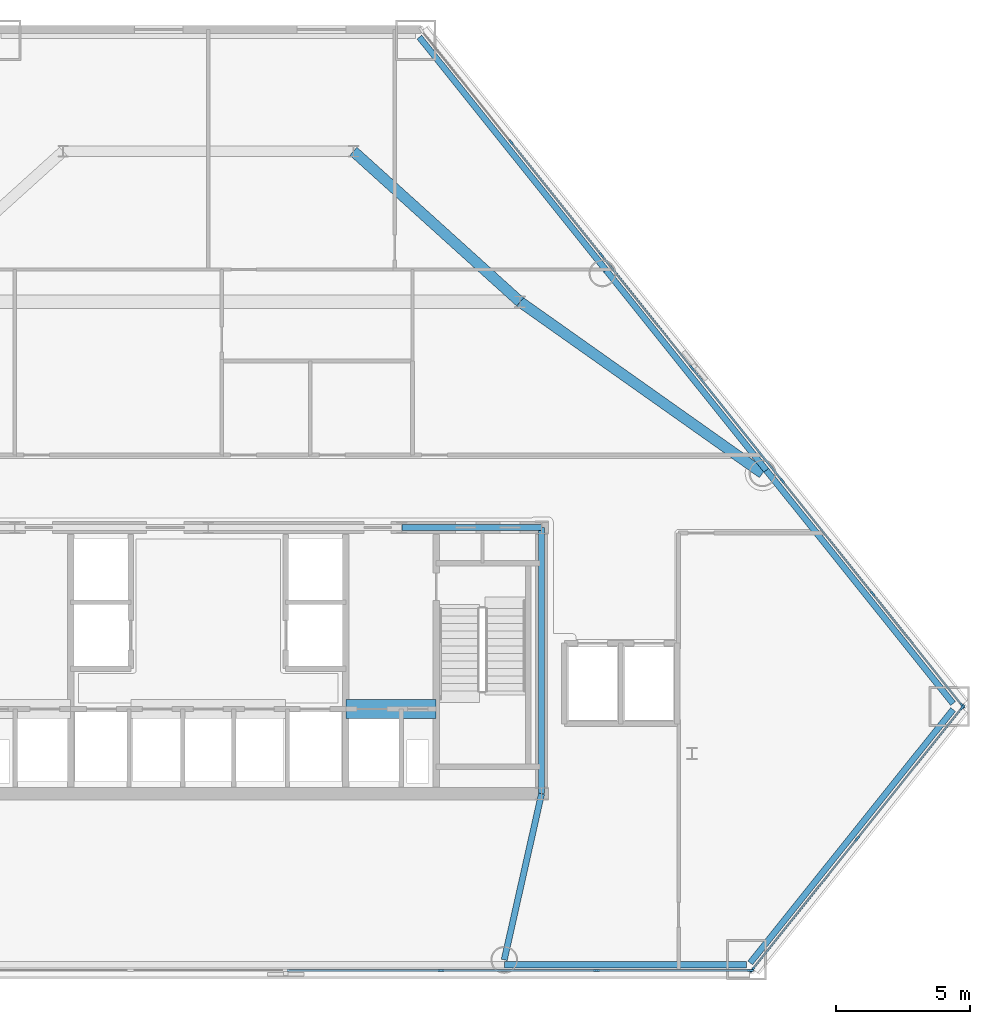
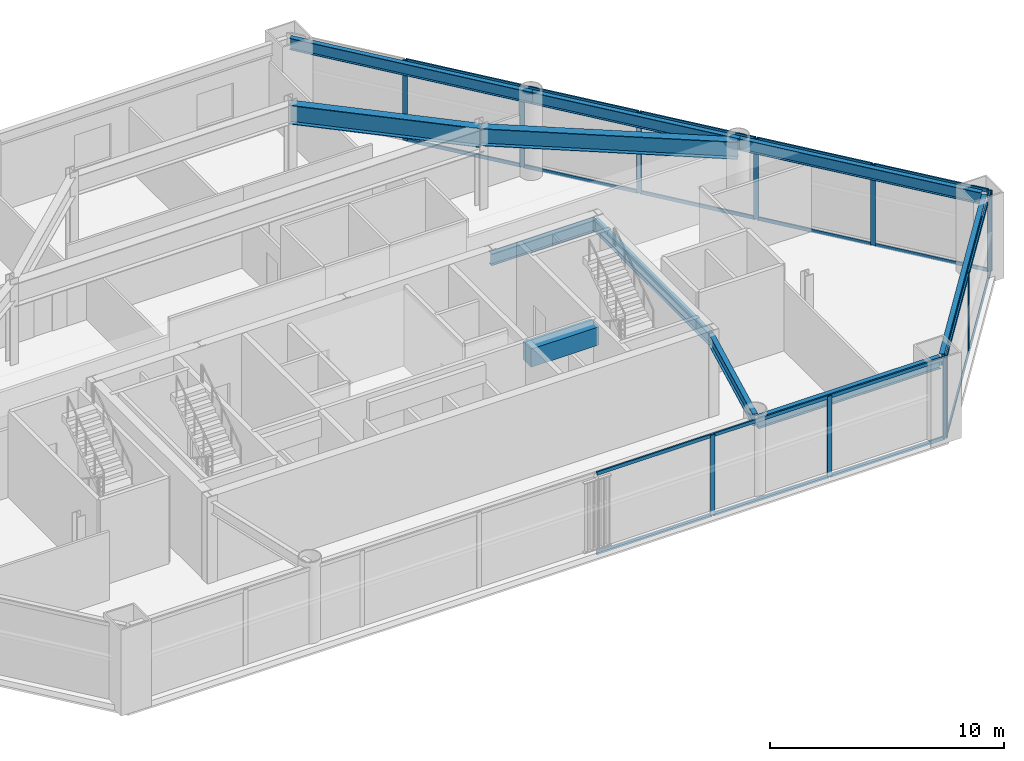
# One storey, part 5 of 13: 32 members, 11 beams, 3 elements without a shape of their own.
"""IFC4 building model written with IfcOpenShell, lengths in metres."""

import ifcopenshell
import ifcopenshell.guid

model = None  # the IFC model being written
_history = None  # IfcOwnerHistory: only IFC2X3 demands one
_inside = {}  # id of a spatial element -> (the spatial element, [elements in it])
_under = {}  # id of a project, library or spatial element -> (it, [spatial elements below it])
_declared = {}  # id of a project -> (the project, [libraries it declares])
_typed = {}  # id of a type object -> (the type object, [elements of that type])
_made_of = {}  # id of a material, layer set ... -> (it, [elements and type objects made of it])


def new_model(schema):
    """Start an empty IFC model of exactly this schema.

    Asked for "IFC4X3", IfcOpenShell would pick the latest addendum, in which some entities
    have other attributes; the version numbers below select the first issue.
    IFC2X3 requires an IfcOwnerHistory on every rooted entity: one is made here for all.
    """
    global model, _history
    if schema == "IFC4X3":
        model = ifcopenshell.file(schema_version=(4, 3, 0, 0))
    else:
        model = ifcopenshell.file(schema=schema)
    _inside.clear()
    _under.clear()
    _declared.clear()
    _typed.clear()
    _made_of.clear()
    _history = None
    if model.schema == "IFC2X3":
        org = make("IfcOrganization", Name="unknown")
        user = make(
            "IfcPersonAndOrganization",
            ThePerson=make("IfcPerson", FamilyName="unknown"),
            TheOrganization=org,
        )
        app = make(
            "IfcApplication",
            ApplicationDeveloper=org,
            Version="unknown",
            ApplicationFullName="unknown",
            ApplicationIdentifier="unknown",
        )
        _history = make(
            "IfcOwnerHistory",
            OwningUser=user,
            OwningApplication=app,
            ChangeAction="ADDED",
            CreationDate=0,
        )
    return model


def make(cls, **values):
    """One entity of the class cls with the attributes given. An attribute that is None is left unset."""
    return model.create_entity(
        cls, **{name: value for name, value in values.items() if value is not None}
    )


def rooted(cls, **values):
    """An entity with a GlobalId (a new one), such as an element, a storey or a relation."""
    return make(cls, GlobalId=ifcopenshell.guid.new(), OwnerHistory=_history, **values)


def si_unit(unit_type, name, prefix=None):
    """IfcSIUnit, for example si_unit("LENGTHUNIT", "METRE", prefix="MILLI")."""
    return make("IfcSIUnit", UnitType=unit_type, Prefix=prefix, Name=name)


def assignment(units):
    """IfcUnitAssignment: the units of a project."""
    return None if units is None else make("IfcUnitAssignment", Units=units)


def point(xyz):
    """IfcCartesianPoint."""
    return None if xyz is None else make("IfcCartesianPoint", Coordinates=xyz)


def direction(xyz):
    """IfcDirection."""
    return None if xyz is None else make("IfcDirection", DirectionRatios=xyz)


def frame(location, z_axis=None, x_axis=None):
    """IfcAxis2Placement3D, a coordinate frame: its origin and axes. An axis left out is left unset."""
    return make(
        "IfcAxis2Placement3D",
        Location=point(location),
        Axis=direction(z_axis),
        RefDirection=direction(x_axis),
    )


def frame_2d(location, x_axis=None):
    """IfcAxis2Placement2D, a coordinate frame in the plane: its origin and x axis."""
    return make(
        "IfcAxis2Placement2D", Location=point(location), RefDirection=direction(x_axis)
    )


def origin():
    """The frame at (0, 0, 0) with its axes left unset."""
    return frame((0.0, 0.0, 0.0))


def origin_2d():
    """The frame at (0, 0) in the plane with its x axis left unset."""
    return frame_2d((0.0, 0.0))


def place(relative_to, where):
    """IfcLocalPlacement: puts the frame where relative to a parent placement (None: the world)."""
    return make(
        "IfcLocalPlacement", PlacementRelTo=relative_to, RelativePlacement=where
    )


def context(
    kind, dimensions, precision=None, world=None, true_north=None, identifier=None
):
    """IfcGeometricRepresentationContext, for example the 3D "Model" context."""
    return make(
        "IfcGeometricRepresentationContext",
        ContextIdentifier=identifier,
        ContextType=kind,
        CoordinateSpaceDimension=dimensions,
        Precision=precision,
        WorldCoordinateSystem=world,
        TrueNorth=true_north,
    )


def subcontext(parent, identifier, kind, view, scale=None):
    """IfcGeometricRepresentationSubContext, for example "Body" below "Model"."""
    return make(
        "IfcGeometricRepresentationSubContext",
        ContextIdentifier=identifier,
        ContextType=kind,
        ParentContext=parent,
        TargetScale=scale,
        TargetView=view,
    )


def project(units=None, contexts=None):
    """IfcProject with its units and contexts."""
    return rooted(
        "IfcProject",
        Name="project",
        RepresentationContexts=contexts,
        UnitsInContext=assignment(units),
    )


def spatial(cls, under=None, at=None, **own):
    """A site, building, storey or space (cls), placed at a placement, below another one or the project."""
    s = rooted(cls, ObjectPlacement=at, **own)
    if under is not None:
        _under.setdefault(under.id(), (under, []))[1].append(s)
    return s


def profile(cls, at=None, kind="AREA", **sizes):
    """A parametric profile (cls). Its sizes go by their IFC names, for example OverallWidth=200.0."""
    return make(cls, ProfileType=kind, Position=at, **sizes)


def rectangle(**sizes):
    """IfcRectangleProfileDef."""
    return profile("IfcRectangleProfileDef", **sizes)


def i_section(**sizes):
    """IfcIShapeProfileDef."""
    return profile("IfcIShapeProfileDef", **sizes)


def extrude(swept, where, along, depth):
    """IfcExtrudedAreaSolid: the profile swept, set in the frame where, extruded along a direction by depth."""
    return make(
        "IfcExtrudedAreaSolid",
        SweptArea=swept,
        Position=where,
        ExtrudedDirection=direction(along),
        Depth=depth,
    )


def shape(context_of_items, identifier, shape_type, items):
    """IfcShapeRepresentation: the items that make up one representation, for example the "Body"."""
    return make(
        "IfcShapeRepresentation",
        ContextOfItems=context_of_items,
        RepresentationIdentifier=identifier,
        RepresentationType=shape_type,
        Items=items,
    )


def material(Name=None, Category=None):
    """IfcMaterial."""
    return make("IfcMaterial", Name=Name, Category=Category)


def layer(
    of_material, thickness, ventilated=None, Name=None, Category=None, Priority=None
):
    """IfcMaterialLayer: one layer of a wall or slab, of a material (None: an air gap)."""
    return make(
        "IfcMaterialLayer",
        Material=of_material,
        LayerThickness=thickness,
        IsVentilated=ventilated,
        Name=Name,
        Category=Category,
        Priority=Priority,
    )


def layer_set(layers, Name=None):
    """IfcMaterialLayerSet."""
    return make("IfcMaterialLayerSet", MaterialLayers=layers, LayerSetName=Name)


def material_profile(
    of_material, cross_section, Name=None, Category=None, Priority=None
):
    """IfcMaterialProfile: a cross section and its material."""
    return make(
        "IfcMaterialProfile",
        Name=Name,
        Material=of_material,
        Profile=cross_section,
        Priority=Priority,
        Category=Category,
    )


def profile_set(profiles, Name=None, composite=None):
    """IfcMaterialProfileSet."""
    return make(
        "IfcMaterialProfileSet",
        Name=Name,
        MaterialProfiles=profiles,
        CompositeProfile=composite,
    )


def made_of(thing, what):
    """Note that an element or type object is made of a material, layer set ...; save() writes the relation."""
    if what is not None:
        _made_of.setdefault(what.id(), (what, []))[1].append(thing)
    return thing


def type_object(cls, material=None, **own):
    """A type object (cls), such as IfcWallType, which elements share."""
    return made_of(rooted(cls, **own), material)


def element(
    cls,
    number,
    at=None,
    inside=None,
    cuts=None,
    type_object=None,
    material=None,
    context=None,
    identifier="Body",
    shape_type=None,
    held_by="IfcProductDefinitionShape",
    body=None,
    shapes=None,
    **own,
):
    """One element of the class cls, such as IfcWall. Its Tag is "e" and its number.

    at: its placement. inside: the storey or other place that contains it. cuts: it is an
    opening in that element (IfcRelVoidsElement). A single representation is given by context,
    identifier, shape_type and body (its items); several are given by shapes. held_by: the class
    of the entity that holds the representations. save() writes the other relations.
    """
    e = rooted(cls, Tag="e%d" % number, ObjectPlacement=at, **own)
    if body is not None:
        shapes = [shape(context, identifier, shape_type, body)]
    if shapes is not None:
        e.Representation = make(held_by, Representations=shapes)
    if inside is not None:
        _inside.setdefault(inside.id(), (inside, []))[1].append(e)
    if cuts is not None:
        rooted(
            "IfcRelVoidsElement", RelatingBuildingElement=cuts, RelatedOpeningElement=e
        )
    if type_object is not None:
        _typed.setdefault(type_object.id(), (type_object, []))[1].append(e)
    return made_of(e, material)


def aggregate(whole, parts):
    """IfcRelAggregates: a whole, such as a stair, and the parts it consists of."""
    return rooted("IfcRelAggregates", RelatingObject=whole, RelatedObjects=parts)


def save(model, path):
    """Write the relations noted so far, then the file.

    IfcRelAggregates (storeys below a building ...), IfcRelContainedInSpatialStructure (elements
    in a storey), IfcRelDefinesByType, IfcRelAssociatesMaterial and IfcRelDeclares: one each for
    every whole, place, type object, material and project.
    """
    for whole, parts in _under.values():
        aggregate(whole, parts)
    for where, things in _inside.values():
        rooted(
            "IfcRelContainedInSpatialStructure",
            RelatedElements=things,
            RelatingStructure=where,
        )
    for kind, things in _typed.values():
        rooted("IfcRelDefinesByType", RelatedObjects=things, RelatingType=kind)
    for what, things in _made_of.values():
        rooted("IfcRelAssociatesMaterial", RelatedObjects=things, RelatingMaterial=what)
    for by, libraries in _declared.values():
        rooted("IfcRelDeclares", RelatingContext=by, RelatedDefinitions=libraries)
    model.write(path)


model = new_model("IFC4")

# Units and contexts
model_context = context("Model", 3, precision=1e-05, world=origin(), true_north=direction((0.0, 1.0)))
body_context = subcontext(model_context, "Body", "Model", "MODEL_VIEW")
ifc_project = project(units=[si_unit("LENGTHUNIT", "METRE"), si_unit("AREAUNIT", "SQUARE_METRE"), si_unit("VOLUMEUNIT", "CUBIC_METRE"), si_unit("PLANEANGLEUNIT", "RADIAN"), si_unit("MASSUNIT", "GRAM", prefix="KILO")], contexts=[model_context])

# Site, building, storey
site_placement = place(None, origin())
site = spatial("IfcSite", under=ifc_project, at=site_placement, CompositionType="ELEMENT")
building_placement = place(site_placement, origin())
building = spatial("IfcBuilding", under=site, at=building_placement, Name="Talgorran Terracotta Tower", CompositionType="ELEMENT")
storey_placement = place(building_placement, frame((0.0, 0.0, 9.89990234375)))
storey = spatial("IfcBuildingStorey", under=building, at=storey_placement, Name="L02", CompositionType="ELEMENT", Elevation=9.89990234375)

# Beams
ifc_material_1 = material(Name="Steel Grade 350 (350L0)", Category="steel")
ifc_material_profile_1 = material_profile(ifc_material_1, i_section(OverallWidth=0.39990234375, OverallDepth=1.0, WebThickness=0.01611328125, FlangeThickness=0.031005859375, at=origin_2d()), Name="1000WB296")
ifc_profile_set_1 = profile_set([ifc_material_profile_1], Name="Steel Grade 350 (350L0)")
beam_type_1 = type_object("IfcBeamType", Name="BM_1000WB296", PredefinedType="BEAM", material=ifc_profile_set_1)
beam_1_placement = place(storey_placement, frame((11.60009765625, 4.199951171875, 3.72021484375), z_axis=(-0.742107331558, 0.670281066754, 0.0), x_axis=(-0.670281066754, -0.742107331558, 0.0)))
element("IfcBeam", 1, at=beam_1_placement, inside=storey, type_object=beam_type_1, Name="L02 Podium Girder PG3", PredefinedType="BEAM", context=body_context, shape_type="SweptSolid", body=[
    extrude(i_section(OverallWidth=0.39990234375, OverallDepth=1.0, WebThickness=0.01611328125, FlangeThickness=0.031005859375, at=origin_2d()), origin(), (0.0, 0.0, 1.0), 8.354736328125),
])
ifc_material_profile_2 = material_profile(ifc_material_1, i_section(OverallWidth=0.39990234375, OverallDepth=0.907958984375, WebThickness=0.01611328125, FlangeThickness=0.02490234375, at=origin_2d()), Name="900WB257")
ifc_profile_set_2 = profile_set([ifc_material_profile_2], Name="Steel Grade 350 (350L0)")
beam_type_2 = type_object("IfcBeamType", Name="BM_900WB257", PredefinedType="BEAM", material=ifc_profile_set_2)
beam_2_placement = place(storey_placement, frame((20.620361328125, -2.1787109375, 3.76611328125), z_axis=(-0.816480686171, 0.577372747113, 0.0), x_axis=(-0.577372747113, -0.816480686171, 0.0)))
element("IfcBeam", 2, at=beam_2_placement, inside=storey, type_object=beam_type_2, Name="L02 Podium Girder PG8", PredefinedType="BEAM", context=body_context, shape_type="SweptSolid", body=[
    extrude(i_section(OverallWidth=0.39990234375, OverallDepth=0.907958984375, WebThickness=0.01611328125, FlangeThickness=0.02490234375, at=origin_2d()), origin(), (0.0, 0.0, 1.0), 11.0478515625),
])
ifc_material_2 = material(Name="Concrete C65/80", Category="concrete")
ifc_material_profile_3 = material_profile(ifc_material_2, rectangle(XDim=0.699951171875, YDim=0.949951171875, at=origin_2d()), Name="RCCB700X950")
ifc_profile_set_3 = profile_set([ifc_material_profile_3], Name="Concrete C65/80")
beam_type_3 = type_object("IfcBeamType", Name="BM_CB_700X950", PredefinedType="LINTEL", material=ifc_profile_set_3)
beam_3_placement = place(storey_placement, frame((5.1201171875, -10.949951171875, 3.7451171875), z_axis=(1.0, 0.0, 0.0), x_axis=(0.0, 1.0, 0.0)))
element("IfcBeam", 3, at=beam_3_placement, inside=storey, type_object=beam_type_3, Name="L02 Core Shear-Wall Coupling Beam CB3", PredefinedType="LINTEL", context=body_context, shape_type="SweptSolid", body=[
    extrude(rectangle(XDim=0.699951171875, YDim=0.949951171875, at=origin_2d()), origin(), (0.0, 0.0, 1.0), 3.35986328125),
])
ifc_material_3 = material(Name="Steel S355 (300PLUS)", Category="steel")
ifc_material_profile_4 = material_profile(ifc_material_3, i_section(OverallWidth=0.22900390625, OverallDepth=0.611572265625, WebThickness=0.011962890625, FlangeThickness=0.01953125, at=origin_2d()), Name="610UB125")
ifc_profile_set_4 = profile_set([ifc_material_profile_4], Name="Steel S355 (300PLUS)")
beam_type_4 = type_object("IfcBeamType", Name="BM_SP_610UB125", PredefinedType="SPANDREL", material=ifc_profile_set_4)
beam_4_placement = place(storey_placement, frame((11.01220703125, -20.4599609375, 3.914306640625), z_axis=(1.0, 0.0, 0.0), x_axis=(0.0, 1.0, 0.0)))
element("IfcBeam", 4, at=beam_4_placement, inside=storey, type_object=beam_type_4, Name="L02 Perimeter Spandrel Beam FC2-MC3", PredefinedType="SPANDREL", context=body_context, shape_type="SweptSolid", body=[
    extrude(i_section(OverallWidth=0.22900390625, OverallDepth=0.611572265625, WebThickness=0.011962890625, FlangeThickness=0.01953125, at=origin_2d()), origin(), (0.0, 0.0, 1.0), 9.010009765625),
])
beam_5_placement = place(storey_placement, frame((20.16259765625, -20.392578125, 3.914306640625), z_axis=(0.625116627788, 0.780531358539, 0.0), x_axis=(-0.780531358539, 0.625116627788, 0.0)))
element("IfcBeam", 5, at=beam_5_placement, inside=storey, type_object=beam_type_4, Name="L02 Perimeter Spandrel Beam MC3-MC4", PredefinedType="SPANDREL", context=body_context, shape_type="SweptSolid", body=[
    extrude(i_section(OverallWidth=0.22900390625, OverallDepth=0.611572265625, WebThickness=0.011962890625, FlangeThickness=0.01953125, at=origin_2d()), origin(), (0.0, 0.0, 1.0), 12.073974609375),
])
beam_6_placement = place(storey_placement, frame((27.710205078125, -10.743408203125, 3.914306640625), z_axis=(-0.625126142132, 0.780523738539, 0.0), x_axis=(-0.780523738539, -0.625126142132, 0.0)))
element("IfcBeam", 6, at=beam_6_placement, inside=storey, type_object=beam_type_4, Name="L02 Perimeter Spandrel Beam MC4-FC3", PredefinedType="SPANDREL", context=body_context, shape_type="SweptSolid", body=[
    extrude(i_section(OverallWidth=0.22900390625, OverallDepth=0.611572265625, WebThickness=0.011962890625, FlangeThickness=0.01953125, at=origin_2d()), origin(), (0.0, 0.0, 1.0), 11.116943359375),
])
beam_7_placement = place(storey_placement, frame((20.7607421875, -2.06640625, 3.914306640625), z_axis=(-0.625101149619, 0.780543754536, 0.0), x_axis=(-0.780543754536, -0.625101149619, 0.0)))
element("IfcBeam", 7, at=beam_7_placement, inside=storey, type_object=beam_type_4, Name="L02 Perimeter Spandrel Beam FC3-FC4", PredefinedType="SPANDREL", context=body_context, shape_type="SweptSolid", body=[
    extrude(i_section(OverallWidth=0.22900390625, OverallDepth=0.611572265625, WebThickness=0.011962890625, FlangeThickness=0.01953125, at=origin_2d()), origin(), (0.0, 0.0, 1.0), 9.52880859375),
])
beam_8_placement = place(storey_placement, frame((14.80419921875, 5.371337890625, 3.914306640625), z_axis=(-0.625115426811, 0.780532320383, 0.0), x_axis=(-0.780532320383, -0.625115426811, 0.0)))
element("IfcBeam", 8, at=beam_8_placement, inside=storey, type_object=beam_type_4, Name="L02 Perimeter Spandrel Beam FC4-MC5", PredefinedType="SPANDREL", context=body_context, shape_type="SweptSolid", body=[
    extrude(i_section(OverallWidth=0.22900390625, OverallDepth=0.611572265625, WebThickness=0.011962890625, FlangeThickness=0.01953125, at=origin_2d()), origin(), (0.0, 0.0, 1.0), 11.1171875),
])
beam_9_placement = place(storey_placement, frame((12.39990234375, -14.10009765625, 3.914306640625), z_axis=(-0.219093011867, -0.975703977726, 0.0), x_axis=(0.975703977726, -0.219093011867, 0.0)))
element("IfcBeam", 9, at=beam_9_placement, inside=storey, type_object=beam_type_4, Name="L02 South-East Core Tie Beam", PredefinedType="SPANDREL", context=body_context, shape_type="SweptSolid", body=[
    extrude(i_section(OverallWidth=0.22900390625, OverallDepth=0.611572265625, WebThickness=0.011962890625, FlangeThickness=0.01953125, at=origin_2d()), origin(), (0.0, 0.0, 1.0), 6.333740234375),
])
beam_10_placement = place(storey_placement, frame((12.39990234375, -14.10009765625, 3.914306640625), z_axis=(0.0, 1.0, 0.0), x_axis=(-1.0, 0.0, 0.0)))
element("IfcBeam", 10, at=beam_10_placement, inside=storey, type_object=beam_type_4, Name="L02 Core Frame Beam CFE", PredefinedType="SPANDREL", context=body_context, shape_type="SweptSolid", body=[
    extrude(i_section(OverallWidth=0.22900390625, OverallDepth=0.611572265625, WebThickness=0.011962890625, FlangeThickness=0.01953125, at=origin_2d()), origin(), (0.0, 0.0, 1.0), 9.900146484375),
])
beam_11_placement = place(storey_placement, frame((7.199951171875, -4.199951171875, 3.914306640625), z_axis=(1.0, 0.0, 0.0), x_axis=(0.0, 1.0, 0.0)))
element("IfcBeam", 11, at=beam_11_placement, inside=storey, type_object=beam_type_4, Name="L02 Core Frame Beam CFN4", PredefinedType="SPANDREL", context=body_context, shape_type="SweptSolid", body=[
    extrude(i_section(OverallWidth=0.22900390625, OverallDepth=0.611572265625, WebThickness=0.011962890625, FlangeThickness=0.01953125, at=origin_2d()), origin(), (0.0, 0.0, 1.0), 5.199951171875),
])

# Curtain wall, members
ifc_material_4 = material(Name="Terracotta and Low-E Glazing", Category="masonry")
ifc_layer = layer(ifc_material_4, 0.219970703125, Name="CW_SYS1_PODIUM")
ifc_layer_set = layer_set([ifc_layer], Name="Terracotta and Low-E Glazing")
curtain_wall_type = type_object("IfcCurtainWallType", Name="CW_SYS1_PODIUM", PredefinedType="NOTDEFINED", material=ifc_layer_set)
curtain_wall_1_placement = place(storey_placement, origin())
curtain_wall_1 = element("IfcCurtainWall", 12, at=curtain_wall_1_placement, inside=storey, type_object=curtain_wall_type, Name="CW-L02-F1", PredefinedType="NOTDEFINED")
ifc_material_5 = material(Name="Architectural Aluminium 6063-T6", Category="aluminium")
ifc_material_profile_5 = material_profile(ifc_material_5, rectangle(XDim=0.074951171875, YDim=0.219970703125, at=origin_2d()), Name="CWM75X220")
ifc_profile_set_5 = profile_set([ifc_material_profile_5], Name="Architectural Aluminium 6063-T6")
member_type_1 = type_object("IfcMemberType", Name="MUL_75X220", PredefinedType="MULLION", material=ifc_profile_set_5)
member_1_placement = place(storey_placement, frame((8.663330078125, -20.679931640625, 0.0), z_axis=(0.0, 0.0, 1.0), x_axis=(0.0, 1.0, 0.0)))
member_1 = element("IfcMember", 13, at=member_1_placement, type_object=member_type_1, Name="CW-L02-1 mullion 6", PredefinedType="MULLION", context=body_context, shape_type="SweptSolid", body=[
    extrude(rectangle(XDim=0.074951171875, YDim=0.219970703125, at=origin_2d()), origin(), (0.0, 0.0, 1.0), 4.22021484375),
])
member_2_placement = place(storey_placement, frame((14.43896484375, -20.679931640625, 0.0), z_axis=(0.0, 0.0, 1.0), x_axis=(0.0, 1.0, 0.0)))
member_2 = element("IfcMember", 14, at=member_2_placement, type_object=member_type_1, Name="CW-L02-1 mullion 7", PredefinedType="MULLION", context=body_context, shape_type="SweptSolid", body=[
    extrude(rectangle(XDim=0.074951171875, YDim=0.219970703125, at=origin_2d()), origin(), (0.0, 0.0, 1.0), 4.22021484375),
])
member_3_placement = place(storey_placement, frame((20.177001953125, -20.679931640625, 0.0), z_axis=(0.0, 0.0, 1.0), x_axis=(0.0, 1.0, 0.0)))
member_3 = element("IfcMember", 15, at=member_3_placement, type_object=member_type_1, Name="CW-L02-1 mullion 8", PredefinedType="MULLION", context=body_context, shape_type="SweptSolid", body=[
    extrude(rectangle(XDim=0.074951171875, YDim=0.219970703125, at=origin_2d()), origin(), (0.0, 0.0, 1.0), 4.22021484375),
])

curtain_wall_2_placement = place(storey_placement, origin())
curtain_wall_2 = element("IfcCurtainWall", 16, at=curtain_wall_2_placement, inside=storey, type_object=curtain_wall_type, Name="CW-L02-F2", PredefinedType="NOTDEFINED")
member_4_placement = place(storey_placement, frame((20.23779296875, -20.650634765625, 0.0), z_axis=(0.0, 0.0, 1.0), x_axis=(-0.780531511293, 0.625116437056, 0.0)))
member_4 = element("IfcMember", 17, at=member_4_placement, type_object=member_type_1, Name="CW-L02-2 mullion 1", PredefinedType="MULLION", context=body_context, shape_type="SweptSolid", body=[
    extrude(rectangle(XDim=0.074951171875, YDim=0.219970703125, at=origin_2d()), origin(), (0.0, 0.0, 1.0), 4.22021484375),
])
member_5_placement = place(storey_placement, frame((24.1484375, -15.76806640625, 0.0), z_axis=(0.0, 0.0, 1.0), x_axis=(-0.780531511293, 0.625116437056, 0.0)))
member_5 = element("IfcMember", 18, at=member_5_placement, type_object=member_type_1, Name="CW-L02-2 mullion 2", PredefinedType="MULLION", context=body_context, shape_type="SweptSolid", body=[
    extrude(rectangle(XDim=0.074951171875, YDim=0.219970703125, at=origin_2d()), origin(), (0.0, 0.0, 1.0), 4.22021484375),
])
member_6_placement = place(storey_placement, frame((28.058837890625, -10.88525390625, 0.0), z_axis=(0.0, 0.0, 1.0), x_axis=(-0.780531511293, 0.625116437056, 0.0)))
member_6 = element("IfcMember", 19, at=member_6_placement, type_object=member_type_1, Name="CW-L02-2 mullion 3", PredefinedType="MULLION", context=body_context, shape_type="SweptSolid", body=[
    extrude(rectangle(XDim=0.074951171875, YDim=0.219970703125, at=origin_2d()), origin(), (0.0, 0.0, 1.0), 4.22021484375),
])

curtain_wall_3_placement = place(storey_placement, origin())
curtain_wall_3 = element("IfcCurtainWall", 20, at=curtain_wall_3_placement, inside=storey, type_object=curtain_wall_type, Name="CW-L02-F3", PredefinedType="NOTDEFINED")
member_7_placement = place(storey_placement, frame((28.058837890625, -10.82666015625, 0.0), z_axis=(0.0, 0.0, 1.0), x_axis=(-0.780531657787, -0.625116254142, 0.0)))
member_7 = element("IfcMember", 21, at=member_7_placement, type_object=member_type_1, Name="CW-L02-3 mullion 1", PredefinedType="MULLION", context=body_context, shape_type="SweptSolid", body=[
    extrude(rectangle(XDim=0.074951171875, YDim=0.219970703125, at=origin_2d()), origin(), (0.0, 0.0, 1.0), 4.22021484375),
])
member_8_placement = place(storey_placement, frame((24.7197265625, -6.6572265625, 0.0), z_axis=(0.0, 0.0, 1.0), x_axis=(-0.780531657787, -0.625116254142, 0.0)))
member_8 = element("IfcMember", 22, at=member_8_placement, type_object=member_type_1, Name="CW-L02-3 mullion 2", PredefinedType="MULLION", context=body_context, shape_type="SweptSolid", body=[
    extrude(rectangle(XDim=0.074951171875, YDim=0.219970703125, at=origin_2d()), origin(), (0.0, 0.0, 1.0), 4.22021484375),
])
member_9_placement = place(storey_placement, frame((21.35693359375, -2.458740234375, 0.0), z_axis=(0.0, 0.0, 1.0), x_axis=(-0.780531657787, -0.625116254142, 0.0)))
member_9 = element("IfcMember", 23, at=member_9_placement, type_object=member_type_1, Name="CW-L02-3 mullion 3", PredefinedType="MULLION", context=body_context, shape_type="SweptSolid", body=[
    extrude(rectangle(XDim=0.074951171875, YDim=0.219970703125, at=origin_2d()), origin(), (0.0, 0.0, 1.0), 4.22021484375),
])
member_10_placement = place(storey_placement, frame((17.994384765625, 1.739990234375, 0.0), z_axis=(0.0, 0.0, 1.0), x_axis=(-0.780531657787, -0.625116254142, 0.0)))
member_10 = element("IfcMember", 24, at=member_10_placement, type_object=member_type_1, Name="CW-L02-3 mullion 4", PredefinedType="MULLION", context=body_context, shape_type="SweptSolid", body=[
    extrude(rectangle(XDim=0.074951171875, YDim=0.219970703125, at=origin_2d()), origin(), (0.0, 0.0, 1.0), 4.22021484375),
])
member_11_placement = place(storey_placement, frame((14.631591796875, 5.938720703125, 0.0), z_axis=(0.0, 0.0, 1.0), x_axis=(-0.780531657787, -0.625116254142, 0.0)))
member_11 = element("IfcMember", 25, at=member_11_placement, type_object=member_type_1, Name="CW-L02-3 mullion 5", PredefinedType="MULLION", context=body_context, shape_type="SweptSolid", body=[
    extrude(rectangle(XDim=0.074951171875, YDim=0.219970703125, at=origin_2d()), origin(), (0.0, 0.0, 1.0), 4.22021484375),
])
member_12_placement = place(storey_placement, frame((11.26904296875, 10.137451171875, 0.0), z_axis=(0.0, 0.0, 1.0), x_axis=(-0.780531657787, -0.625116254142, 0.0)))
member_12 = element("IfcMember", 26, at=member_12_placement, type_object=member_type_1, Name="CW-L02-3 mullion 6", PredefinedType="MULLION", context=body_context, shape_type="SweptSolid", body=[
    extrude(rectangle(XDim=0.074951171875, YDim=0.219970703125, at=origin_2d()), origin(), (0.0, 0.0, 1.0), 4.22021484375),
])

# Member
ifc_material_profile_6 = material_profile(ifc_material_5, rectangle(XDim=0.074951171875, YDim=0.179931640625, at=origin_2d()), Name="CWT75X180")
ifc_profile_set_6 = profile_set([ifc_material_profile_6], Name="Architectural Aluminium 6063-T6")
member_type_2 = type_object("IfcMemberType", Name="TRN_75X180", PredefinedType="USERDEFINED", material=ifc_profile_set_6)
member_13_placement = place(storey_placement, frame((2.92529296875, -20.679931640625, 0.03759765625), z_axis=(1.0, 0.0, 0.0), x_axis=(0.0, 1.0, 0.0)))
member_13 = element("IfcMember", 27, at=member_13_placement, type_object=member_type_2, Name="CW-L02-1 transom 5.1", ObjectType="TRANSOM", PredefinedType="USERDEFINED", context=body_context, shape_type="SweptSolid", body=[
    extrude(rectangle(XDim=0.074951171875, YDim=0.179931640625, at=origin_2d()), origin(), (0.0, 0.0, 1.0), 5.700439453125),
])

member_14_placement = place(storey_placement, frame((2.92529296875, -20.679931640625, 4.1826171875), z_axis=(1.0, 0.0, 0.0), x_axis=(0.0, 1.0, 0.0)))
member_14 = element("IfcMember", 28, at=member_14_placement, type_object=member_type_2, Name="CW-L02-1 transom 5.2", ObjectType="TRANSOM", PredefinedType="USERDEFINED", context=body_context, shape_type="SweptSolid", body=[
    extrude(rectangle(XDim=0.074951171875, YDim=0.179931640625, at=origin_2d()), origin(), (0.0, 0.0, 1.0), 5.700439453125),
])

member_15_placement = place(storey_placement, frame((8.700927734375, -20.679931640625, 0.03759765625), z_axis=(1.0, 0.0, 0.0), x_axis=(0.0, 1.0, 0.0)))
member_15 = element("IfcMember", 29, at=member_15_placement, type_object=member_type_2, Name="CW-L02-1 transom 6.1", ObjectType="TRANSOM", PredefinedType="USERDEFINED", context=body_context, shape_type="SweptSolid", body=[
    extrude(rectangle(XDim=0.074951171875, YDim=0.179931640625, at=origin_2d()), origin(), (0.0, 0.0, 1.0), 5.700439453125),
])

member_16_placement = place(storey_placement, frame((8.700927734375, -20.679931640625, 4.1826171875), z_axis=(1.0, 0.0, 0.0), x_axis=(0.0, 1.0, 0.0)))
member_16 = element("IfcMember", 30, at=member_16_placement, type_object=member_type_2, Name="CW-L02-1 transom 6.2", ObjectType="TRANSOM", PredefinedType="USERDEFINED", context=body_context, shape_type="SweptSolid", body=[
    extrude(rectangle(XDim=0.074951171875, YDim=0.179931640625, at=origin_2d()), origin(), (0.0, 0.0, 1.0), 5.700439453125),
])

member_17_placement = place(storey_placement, frame((14.476318359375, -20.679931640625, 0.03759765625), z_axis=(1.0, 0.0, 0.0), x_axis=(0.0, 1.0, 0.0)))
member_17 = element("IfcMember", 31, at=member_17_placement, type_object=member_type_2, Name="CW-L02-1 transom 7.1", ObjectType="TRANSOM", PredefinedType="USERDEFINED", context=body_context, shape_type="SweptSolid", body=[
    extrude(rectangle(XDim=0.074951171875, YDim=0.179931640625, at=origin_2d()), origin(), (0.0, 0.0, 1.0), 5.6630859375),
])

member_18_placement = place(storey_placement, frame((14.476318359375, -20.679931640625, 4.1826171875), z_axis=(1.0, 0.0, 0.0), x_axis=(0.0, 1.0, 0.0)))
member_18 = element("IfcMember", 32, at=member_18_placement, type_object=member_type_2, Name="CW-L02-1 transom 7.2", ObjectType="TRANSOM", PredefinedType="USERDEFINED", context=body_context, shape_type="SweptSolid", body=[
    extrude(rectangle(XDim=0.074951171875, YDim=0.179931640625, at=origin_2d()), origin(), (0.0, 0.0, 1.0), 5.6630859375),
])

aggregate(curtain_wall_1, [member_1, member_2, member_3, member_13, member_14, member_15, member_16, member_17, member_18])

member_19_placement = place(storey_placement, frame((20.26123046875, -20.62158203125, 0.03759765625), z_axis=(0.625128488892, 0.780521858999, 0.0), x_axis=(-0.780521858999, 0.625128488892, 0.0)))
member_19 = element("IfcMember", 33, at=member_19_placement, type_object=member_type_2, Name="CW-L02-2 transom 1.1", ObjectType="TRANSOM", PredefinedType="USERDEFINED", context=body_context, shape_type="SweptSolid", body=[
    extrude(rectangle(XDim=0.074951171875, YDim=0.179931640625, at=origin_2d()), origin(), (0.0, 0.0, 1.0), 6.1806640625),
])

member_20_placement = place(storey_placement, frame((20.26123046875, -20.62158203125, 4.1826171875), z_axis=(0.625128488892, 0.780521858999, 0.0), x_axis=(-0.780521858999, 0.625128488892, 0.0)))
member_20 = element("IfcMember", 34, at=member_20_placement, type_object=member_type_2, Name="CW-L02-2 transom 1.2", ObjectType="TRANSOM", PredefinedType="USERDEFINED", context=body_context, shape_type="SweptSolid", body=[
    extrude(rectangle(XDim=0.074951171875, YDim=0.179931640625, at=origin_2d()), origin(), (0.0, 0.0, 1.0), 6.1806640625),
])

member_21_placement = place(storey_placement, frame((24.171875, -15.73876953125, 0.03759765625), z_axis=(0.625104423976, 0.780541132244, 0.0), x_axis=(-0.780541132244, 0.625104423976, 0.0)))
member_21 = element("IfcMember", 35, at=member_21_placement, type_object=member_type_2, Name="CW-L02-2 transom 2.1", ObjectType="TRANSOM", PredefinedType="USERDEFINED", context=body_context, shape_type="SweptSolid", body=[
    extrude(rectangle(XDim=0.074951171875, YDim=0.179931640625, at=origin_2d()), origin(), (0.0, 0.0, 1.0), 6.1806640625),
])

member_22_placement = place(storey_placement, frame((24.171875, -15.73876953125, 4.1826171875), z_axis=(0.625104423976, 0.780541132244, 0.0), x_axis=(-0.780541132244, 0.625104423976, 0.0)))
member_22 = element("IfcMember", 36, at=member_22_placement, type_object=member_type_2, Name="CW-L02-2 transom 2.2", ObjectType="TRANSOM", PredefinedType="USERDEFINED", context=body_context, shape_type="SweptSolid", body=[
    extrude(rectangle(XDim=0.074951171875, YDim=0.179931640625, at=origin_2d()), origin(), (0.0, 0.0, 1.0), 6.1806640625),
])

aggregate(curtain_wall_2, [member_4, member_5, member_6, member_19, member_20, member_21, member_22])

member_23_placement = place(storey_placement, frame((28.035400390625, -10.79736328125, 0.03759765625), z_axis=(-0.625107639786, 0.780538556819, 0.0), x_axis=(-0.780538556819, -0.625107639786, 0.0)))
member_23 = element("IfcMember", 37, at=member_23_placement, type_object=member_type_2, Name="CW-L02-3 transom 1.1", ObjectType="TRANSOM", PredefinedType="USERDEFINED", context=body_context, shape_type="SweptSolid", body=[
    extrude(rectangle(XDim=0.074951171875, YDim=0.179931640625, at=origin_2d()), origin(), (0.0, 0.0, 1.0), 5.2666015625),
])

member_24_placement = place(storey_placement, frame((28.035400390625, -10.79736328125, 4.1826171875), z_axis=(-0.625107639786, 0.780538556819, 0.0), x_axis=(-0.780538556819, -0.625107639786, 0.0)))
member_24 = element("IfcMember", 38, at=member_24_placement, type_object=member_type_2, Name="CW-L02-3 transom 1.2", ObjectType="TRANSOM", PredefinedType="USERDEFINED", context=body_context, shape_type="SweptSolid", body=[
    extrude(rectangle(XDim=0.074951171875, YDim=0.179931640625, at=origin_2d()), origin(), (0.0, 0.0, 1.0), 5.2666015625),
])

member_25_placement = place(storey_placement, frame((24.6962890625, -6.628173828125, 0.03759765625), z_axis=(-0.625132763003, 0.780518435798, 0.0), x_axis=(-0.780518435798, -0.625132763003, 0.0)))
member_25 = element("IfcMember", 39, at=member_25_placement, type_object=member_type_2, Name="CW-L02-3 transom 2.1", ObjectType="TRANSOM", PredefinedType="USERDEFINED", context=body_context, shape_type="SweptSolid", body=[
    extrude(rectangle(XDim=0.074951171875, YDim=0.179931640625, at=origin_2d()), origin(), (0.0, 0.0, 1.0), 5.304443359375),
])

member_26_placement = place(storey_placement, frame((24.6962890625, -6.628173828125, 4.1826171875), z_axis=(-0.625132763003, 0.780518435798, 0.0), x_axis=(-0.780518435798, -0.625132763003, 0.0)))
member_26 = element("IfcMember", 40, at=member_26_placement, type_object=member_type_2, Name="CW-L02-3 transom 2.2", ObjectType="TRANSOM", PredefinedType="USERDEFINED", context=body_context, shape_type="SweptSolid", body=[
    extrude(rectangle(XDim=0.074951171875, YDim=0.179931640625, at=origin_2d()), origin(), (0.0, 0.0, 1.0), 5.304443359375),
])

member_27_placement = place(storey_placement, frame((21.33349609375, -2.429443359375, 0.03759765625), z_axis=(-0.625104721996, 0.780540893572, 0.0), x_axis=(-0.780540893572, -0.625104721996, 0.0)))
member_27 = element("IfcMember", 41, at=member_27_placement, type_object=member_type_2, Name="CW-L02-3 transom 3.1", ObjectType="TRANSOM", PredefinedType="USERDEFINED", context=body_context, shape_type="SweptSolid", body=[
    extrude(rectangle(XDim=0.074951171875, YDim=0.179931640625, at=origin_2d()), origin(), (0.0, 0.0, 1.0), 5.30419921875),
])

member_28_placement = place(storey_placement, frame((21.33349609375, -2.429443359375, 4.1826171875), z_axis=(-0.625104721996, 0.780540893572, 0.0), x_axis=(-0.780540893572, -0.625104721996, 0.0)))
member_28 = element("IfcMember", 42, at=member_28_placement, type_object=member_type_2, Name="CW-L02-3 transom 3.2", ObjectType="TRANSOM", PredefinedType="USERDEFINED", context=body_context, shape_type="SweptSolid", body=[
    extrude(rectangle(XDim=0.074951171875, YDim=0.179931640625, at=origin_2d()), origin(), (0.0, 0.0, 1.0), 5.30419921875),
])

member_29_placement = place(storey_placement, frame((17.970947265625, 1.769287109375, 0.03759765625), z_axis=(-0.625132763003, 0.780518435798, 0.0), x_axis=(-0.780518435798, -0.625132763003, 0.0)))
member_29 = element("IfcMember", 43, at=member_29_placement, type_object=member_type_2, Name="CW-L02-3 transom 4.1", ObjectType="TRANSOM", PredefinedType="USERDEFINED", context=body_context, shape_type="SweptSolid", body=[
    extrude(rectangle(XDim=0.074951171875, YDim=0.179931640625, at=origin_2d()), origin(), (0.0, 0.0, 1.0), 5.304443359375),
])

member_30_placement = place(storey_placement, frame((17.970947265625, 1.769287109375, 4.1826171875), z_axis=(-0.625132763003, 0.780518435798, 0.0), x_axis=(-0.780518435798, -0.625132763003, 0.0)))
member_30 = element("IfcMember", 44, at=member_30_placement, type_object=member_type_2, Name="CW-L02-3 transom 4.2", ObjectType="TRANSOM", PredefinedType="USERDEFINED", context=body_context, shape_type="SweptSolid", body=[
    extrude(rectangle(XDim=0.074951171875, YDim=0.179931640625, at=origin_2d()), origin(), (0.0, 0.0, 1.0), 5.304443359375),
])

member_31_placement = place(storey_placement, frame((14.608154296875, 5.968017578125, 0.03759765625), z_axis=(-0.625104721996, 0.780540893572, 0.0), x_axis=(-0.780540893572, -0.625104721996, 0.0)))
member_31 = element("IfcMember", 45, at=member_31_placement, type_object=member_type_2, Name="CW-L02-3 transom 5.1", ObjectType="TRANSOM", PredefinedType="USERDEFINED", context=body_context, shape_type="SweptSolid", body=[
    extrude(rectangle(XDim=0.074951171875, YDim=0.179931640625, at=origin_2d()), origin(), (0.0, 0.0, 1.0), 5.30419921875),
])

member_32_placement = place(storey_placement, frame((14.608154296875, 5.968017578125, 4.1826171875), z_axis=(-0.625104721996, 0.780540893572, 0.0), x_axis=(-0.780540893572, -0.625104721996, 0.0)))
member_32 = element("IfcMember", 46, at=member_32_placement, type_object=member_type_2, Name="CW-L02-3 transom 5.2", ObjectType="TRANSOM", PredefinedType="USERDEFINED", context=body_context, shape_type="SweptSolid", body=[
    extrude(rectangle(XDim=0.074951171875, YDim=0.179931640625, at=origin_2d()), origin(), (0.0, 0.0, 1.0), 5.30419921875),
])

aggregate(curtain_wall_3, [member_7, member_8, member_9, member_10, member_11, member_12, member_23, member_24, member_25, member_26, member_27, member_28, member_29, member_30, member_31, member_32])

save(model, "model.ifc")
